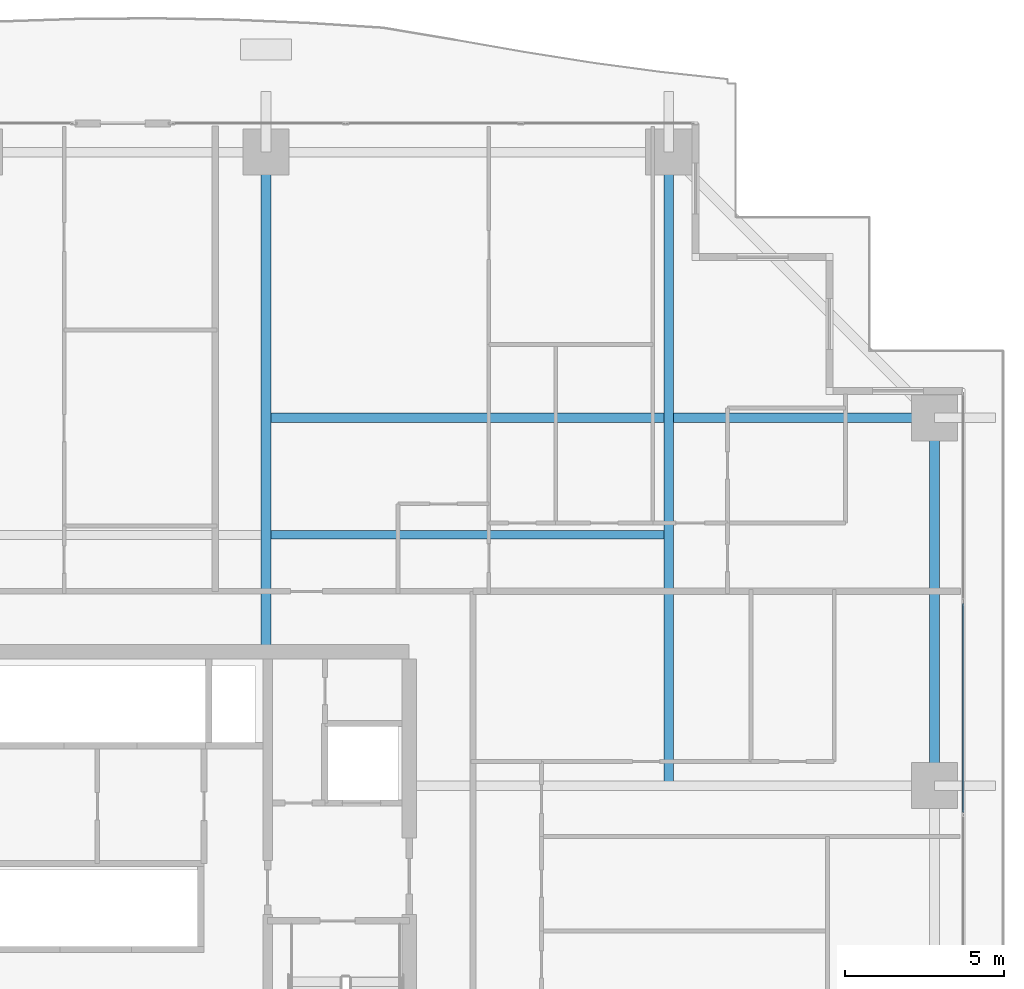
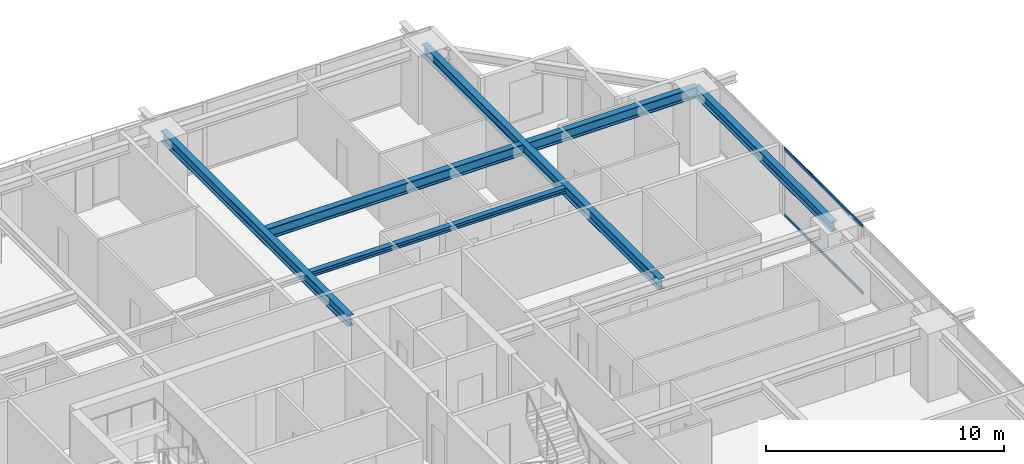
# One storey, part 19 of 35: 5 beams, 2 members, 1 element without a shape of its own.
"""IFC4 building model written with IfcOpenShell, lengths in metres."""

from ifc_helpers import new_model, si_unit, direction, frame, origin, origin_2d, place, context, subcontext, project, spatial, hollow_rectangle, i_section, extrude, source, transform, mapped, material, layer, layer_set, material_profile, profile_set, type_object, element, aggregate, save


model = new_model("IFC4")

# Units and contexts
model_context = context("Model", 3, precision=1e-05, world=origin(), true_north=direction((0.0, 1.0)))
body_context = subcontext(model_context, "Body", "Model", "MODEL_VIEW")
ifc_project = project(units=[si_unit("LENGTHUNIT", "METRE"), si_unit("AREAUNIT", "SQUARE_METRE"), si_unit("VOLUMEUNIT", "CUBIC_METRE"), si_unit("PLANEANGLEUNIT", "RADIAN"), si_unit("MASSUNIT", "GRAM", prefix="KILO")], contexts=[model_context])

# Site, building, storey
site_placement = place(None, origin())
site = spatial("IfcSite", under=ifc_project, at=site_placement, CompositionType="ELEMENT")
building_placement = place(site_placement, origin())
building = spatial("IfcBuilding", under=site, at=building_placement, Name="Serunith Strait Residences", CompositionType="ELEMENT")
storey_placement = place(building_placement, frame((0.0, 0.0, 71.699951171875)))
storey = spatial("IfcBuildingStorey", under=building, at=storey_placement, Name="L17", CompositionType="ELEMENT", Elevation=71.699951171875)

# Beams
ifc_material_1 = material(Name="Steel S355J2", Category="steel")
ifc_material_profile_1 = material_profile(ifc_material_1, i_section(OverallWidth=0.300048828125, OverallDepth=0.550048828125, WebThickness=0.014892578125, FlangeThickness=0.029052734375, FilletRadius=0.027099609375, at=origin_2d()), Name="HEB 550")
ifc_profile_set_1 = profile_set([ifc_material_profile_1], Name="Steel S355J2")
beam_type_1 = type_object("IfcBeamType", Name="BM-HEB550", PredefinedType="BEAM", material=ifc_profile_set_1)
shared_shape_1 = source(origin(), body_context, "Body", "SweptSolid", [
    extrude(i_section(OverallWidth=0.300048828125, OverallDepth=0.550048828125, WebThickness=0.014892578125, FlangeThickness=0.029052734375, FilletRadius=0.027099609375, at=origin_2d()), origin(), (0.0, 0.0, 1.0), 15.699951171875),
])
beam_1_placement = place(storey_placement, frame((36.89990234375, 33.60009765625, 3.212158203125), z_axis=(0.0, 1.0, 0.0), x_axis=(-1.0, 0.0, 0.0)))
element("IfcBeam", 1, at=beam_1_placement, inside=storey, type_object=beam_type_1, Name="L17 Primary Floor Girder TC-N3", PredefinedType="BEAM", context=body_context, shape_type="MappedRepresentation", body=[
    mapped(shared_shape_1, transform((0.0, 0.0, 0.0), scale=1.0)),
])
shared_shape_2 = source(origin(), body_context, "Body", "SweptSolid", [
    extrude(i_section(OverallWidth=0.300048828125, OverallDepth=0.550048828125, WebThickness=0.014892578125, FlangeThickness=0.029052734375, FilletRadius=0.027099609375, at=origin_2d()), origin(), (0.0, 0.0, 1.0), 19.900146484375),
])
beam_2_placement = place(storey_placement, frame((49.550048828125, 29.39990234375, 3.212158203125), z_axis=(0.0, 1.0, 0.0), x_axis=(-1.0, 0.0, 0.0)))
element("IfcBeam", 2, at=beam_2_placement, inside=storey, type_object=beam_type_1, Name="L17 Orthogonal Corner Girder TC-N4", PredefinedType="BEAM", context=body_context, shape_type="MappedRepresentation", body=[
    mapped(shared_shape_2, transform((0.0, 0.0, 0.0), scale=1.0)),
])
shared_shape_3 = source(origin(), body_context, "Body", "SweptSolid", [
    extrude(i_section(OverallWidth=0.300048828125, OverallDepth=0.550048828125, WebThickness=0.014892578125, FlangeThickness=0.029052734375, FilletRadius=0.027099609375, at=origin_2d()), origin(), (0.0, 0.0, 1.0), 21.0),
])
beam_3_placement = place(storey_placement, frame((36.89990234375, 40.949951171875, 3.212158203125), z_axis=(1.0, 0.0, 0.0), x_axis=(0.0, 1.0, 0.0)))
element("IfcBeam", 3, at=beam_3_placement, inside=storey, type_object=beam_type_1, Name="L17 Orthogonal Corner Girder TC-E4", PredefinedType="BEAM", context=body_context, shape_type="MappedRepresentation", body=[
    mapped(shared_shape_3, transform((0.0, 0.0, 0.0), scale=1.0)),
])
ifc_material_profile_2 = material_profile(ifc_material_1, i_section(OverallWidth=0.300048828125, OverallDepth=0.5, WebThickness=0.014404296875, FlangeThickness=0.028076171875, FilletRadius=0.027099609375, at=origin_2d()), Name="HEB 500")
ifc_profile_set_2 = profile_set([ifc_material_profile_2], Name="Steel S355J2")
beam_type_2 = type_object("IfcBeamType", Name="BM-HEB500", PredefinedType="BEAM", material=ifc_profile_set_2)
shared_shape_4 = source(origin(), body_context, "Body", "SweptSolid", [
    extrude(i_section(OverallWidth=0.300048828125, OverallDepth=0.5, WebThickness=0.014404296875, FlangeThickness=0.028076171875, FilletRadius=0.027099609375, at=origin_2d()), origin(), (0.0, 0.0, 1.0), 11.550048828125),
])
beam_4_placement = place(storey_placement, frame((57.89990234375, 29.39990234375, 3.237060546875), z_axis=(0.0, 1.0, 0.0), x_axis=(-1.0, 0.0, 0.0)))
element("IfcBeam", 4, at=beam_4_placement, inside=storey, type_object=beam_type_2, Name="L17 Perimeter Ring Beam 07", PredefinedType="BEAM", context=body_context, shape_type="MappedRepresentation", body=[
    mapped(shared_shape_4, transform((0.0, 0.0, 0.0), scale=1.0)),
])
ifc_material_profile_3 = material_profile(ifc_material_1, i_section(OverallWidth=0.260009765625, OverallDepth=0.260009765625, WebThickness=0.010009765625, FlangeThickness=0.017578125, FilletRadius=0.02392578125, at=origin_2d()), Name="HEB 260")
ifc_profile_set_3 = profile_set([ifc_material_profile_3], Name="Steel S355J2")
beam_type_3 = type_object("IfcBeamType", Name="BM-HEB260", PredefinedType="JOIST", material=ifc_profile_set_3)
shared_shape_5 = source(origin(), body_context, "Body", "SweptSolid", [
    extrude(i_section(OverallWidth=0.260009765625, OverallDepth=0.260009765625, WebThickness=0.010009765625, FlangeThickness=0.017578125, FilletRadius=0.02392578125, at=origin_2d()), origin(), (0.0, 0.0, 1.0), 12.349853515625),
])
beam_5_placement = place(storey_placement, frame((37.050048828125, 37.27490234375, 3.35693359375), z_axis=(1.0, 0.0, 0.0), x_axis=(0.0, 1.0, 0.0)))
element("IfcBeam", 5, at=beam_5_placement, inside=storey, type_object=beam_type_3, Name="L17 Composite Floor Joist 06", PredefinedType="JOIST", context=body_context, shape_type="MappedRepresentation", body=[
    mapped(shared_shape_5, transform((0.0, 0.0, 0.0), scale=1.0)),
])

# Curtain wall, members
ifc_material_2 = material(Name="Pale-Champagne Anodised Aluminium", Category="aluminium")
ifc_layer = layer(ifc_material_2, 0.199951171875, Name="Pale-Champagne Anodised Aluminium")
ifc_layer_set = layer_set([ifc_layer], Name="Pale-Champagne Anodised Aluminium")
curtain_wall_type = type_object("IfcCurtainWallType", Name="CW-SYS1", PredefinedType="NOTDEFINED", material=ifc_layer_set)
curtain_wall_placement = place(storey_placement, origin())
curtain_wall = element("IfcCurtainWall", 6, at=curtain_wall_placement, inside=storey, type_object=curtain_wall_type, Name="L17 E Unitised Fritted Curtain Wall", PredefinedType="NOTDEFINED")
ifc_material_profile_4 = material_profile(ifc_material_2, hollow_rectangle(XDim=0.06005859375, YDim=0.159912109375, WallThickness=0.00341796875, InnerFilletRadius=0.00537109375, OuterFilletRadius=0.0087890625, at=origin_2d()), Name="ALU 160x60x3.5")
ifc_profile_set_4 = profile_set([ifc_material_profile_4], Name="Pale-Champagne Anodised Aluminium")
member_type = type_object("IfcMemberType", Name="CW-SYS1-TRAN", PredefinedType="USERDEFINED", material=ifc_profile_set_4)
shared_shape_6 = source(origin(), body_context, "Body", "SweptSolid", [
    extrude(hollow_rectangle(XDim=0.06005859375, YDim=0.159912109375, WallThickness=0.00341796875, InnerFilletRadius=0.00537109375, OuterFilletRadius=0.0087890625, at=origin_2d()), origin(), (0.0, 0.0, 1.0), 6.570068359375),
])
member_1_placement = place(storey_placement, frame((58.800048828125, 28.554931640625, 0.030029296875), z_axis=(0.0, 1.0, 0.0), x_axis=(-1.0, 0.0, 0.0)))
member_1 = element("IfcMember", 7, at=member_1_placement, type_object=member_type, Name="CW-1 transom 4.1", ObjectType="TRANSOM", PredefinedType="USERDEFINED", context=body_context, shape_type="MappedRepresentation", body=[
    mapped(shared_shape_6, transform((0.0, 0.0, 0.0), scale=1.0)),
])
member_2_placement = place(storey_placement, frame((58.800048828125, 28.554931640625, 3.445068359375), z_axis=(0.0, 1.0, 0.0), x_axis=(-1.0, 0.0, 0.0)))
member_2 = element("IfcMember", 8, at=member_2_placement, type_object=member_type, Name="CW-1 transom 4.2", ObjectType="TRANSOM", PredefinedType="USERDEFINED", context=body_context, shape_type="MappedRepresentation", body=[
    mapped(shared_shape_6, transform((0.0, 0.0, 0.0), scale=1.0)),
])
aggregate(curtain_wall, [member_1, member_2])

save(model, "model.ifc")
